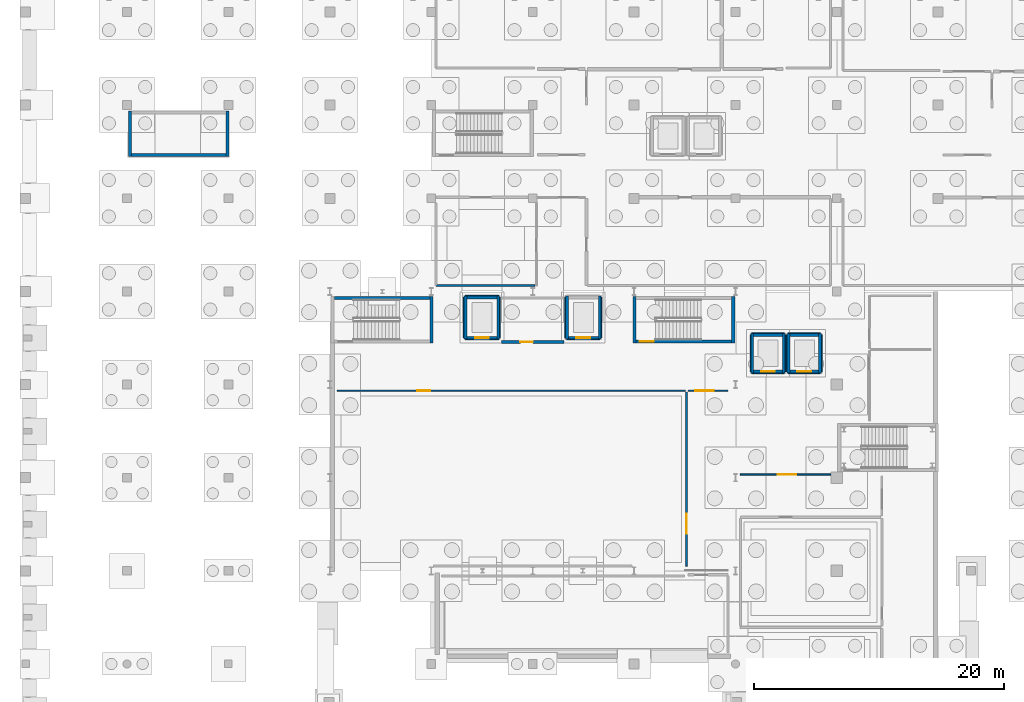
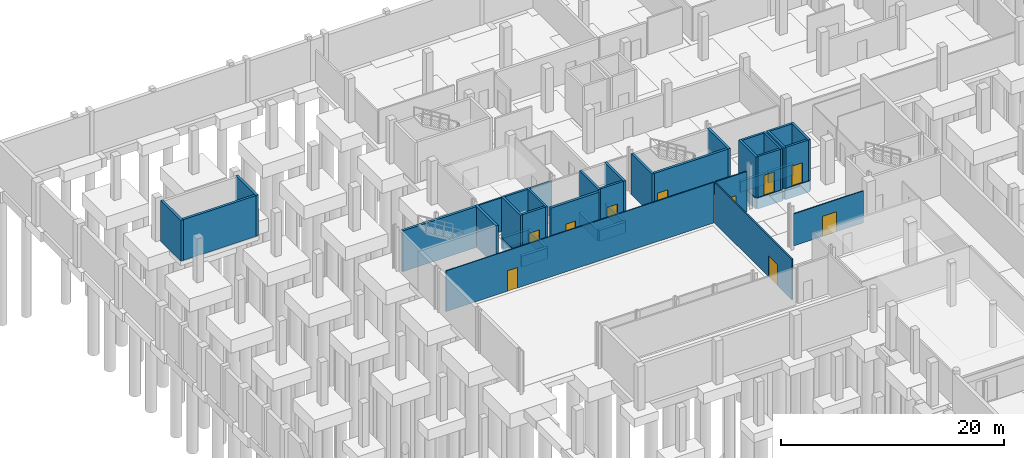
# One storey, part 27 of 37: 44 walls, 10 doors, 10 openings.
"""IFC4 building model written with IfcOpenShell, lengths in metres."""

from ifc_helpers import new_model, si_unit, direction, frame, frame_2d, origin, place, context, subcontext, project, spatial, rectangle, extrude, material, layer, layer_set, type_object, element, fill, save


model = new_model("IFC4")

# Units and contexts
model_context = context("Model", 3, precision=1e-05, world=origin(), true_north=direction((0.0, 1.0)))
body_context = subcontext(model_context, "Body", "Model", "MODEL_VIEW")
ifc_project = project(units=[si_unit("LENGTHUNIT", "METRE"), si_unit("AREAUNIT", "SQUARE_METRE"), si_unit("VOLUMEUNIT", "CUBIC_METRE"), si_unit("PLANEANGLEUNIT", "RADIAN"), si_unit("MASSUNIT", "GRAM", prefix="KILO")], contexts=[model_context])

# Site, building, storey
site_placement = place(None, origin())
site = spatial("IfcSite", under=ifc_project, at=site_placement, CompositionType="ELEMENT")
building_placement = place(site_placement, origin())
building = spatial("IfcBuilding", under=site, at=building_placement, Name="Kaelora Sail Theatre", CompositionType="ELEMENT")
storey_placement = place(building_placement, frame((0.0, 0.0, -4.800048828125)))
storey = spatial("IfcBuildingStorey", under=building, at=storey_placement, Name="B1", CompositionType="ELEMENT", Elevation=-4.800048828125)

# Walls
ifc_material_1 = material(Name="Concrete C40/50", Category="concrete")
ifc_layer_1 = layer(ifc_material_1, 0.25)
ifc_layer_set_1 = layer_set([ifc_layer_1], Name="Concrete C40/50")
wall_type_1 = type_object("IfcWallType", Name="ARC-WL-CW-250", PredefinedType="SHEAR", material=ifc_layer_set_1)
wall_1_placement = place(storey_placement, frame((26.155029296875, 82.824951171875, 0.0), z_axis=(0.0, 0.0, 1.0), x_axis=(1.0, 0.0, 0.0)))
element("IfcWall", 1, at=wall_1_placement, inside=storey, type_object=wall_type_1, Name="Stair shaft ST-K1 wall B1-N", PredefinedType="SHEAR", context=body_context, shape_type="SweptSolid", body=[
    extrude(rectangle(XDim=7.639892578125, YDim=0.25, at=frame_2d((3.81982421875, 0.0))), origin(), (0.0, 0.0, 1.0), 4.47998046875),
])
wall_2_placement = place(storey_placement, frame((33.925048828125, 79.199951171875, 0.0), z_axis=(0.0, 0.0, 1.0), x_axis=(0.0, 1.0, 0.0)))
element("IfcWall", 2, at=wall_2_placement, inside=storey, type_object=wall_type_1, Name="Stair shaft ST-K1 wall B1-E", PredefinedType="SHEAR", context=body_context, shape_type="SweptSolid", body=[
    extrude(rectangle(XDim=3.75, YDim=0.25, at=frame_2d((1.875, 0.0))), origin(), (0.0, 0.0, 1.0), 4.47998046875),
])

# Wall, opening, door
wall_3_placement = place(storey_placement, frame((50.2548828125, 79.324951171875, 0.0), z_axis=(0.0, 0.0, 1.0), x_axis=(1.0, 0.0, 0.0)))
wall_3 = element("IfcWall", 3, at=wall_3_placement, inside=storey, type_object=wall_type_1, Name="Stair shaft ST-K5 wall B1-S", PredefinedType="SHEAR", context=body_context, shape_type="SweptSolid", body=[
    extrude(rectangle(XDim=7.64013671875, YDim=0.25, at=frame_2d((3.820068359375, 0.0))), origin(), (0.0, 0.0, 1.0), 4.47998046875),
])
opening_1_placement = place(wall_3_placement, frame((0.320068359375, 0.0, 0.0)))
opening_1 = element("IfcOpeningElement", 4, at=opening_1_placement, cuts=wall_3, Name="Opening FD-02", PredefinedType="OPENING", context=body_context, shape_type="SweptSolid", body=[
    extrude(rectangle(XDim=1.10009765625, YDim=2.199951171875, at=frame_2d((0.550048828125, 1.10009765625))), frame((0.0, 0.135, 0.0), z_axis=(0.0, -1.0, 0.0), x_axis=(1.0, 0.0, 0.0)), (0.0, 0.0, 1.0), 0.27),
])
ifc_material_2 = material(Name="Acoustic steel single stair/lobby fire door EI 90-C", Category="steel")
door_type_1 = type_object("IfcDoorType", Name="ARC-DR-FD-02", OperationType="NOTDEFINED", PredefinedType="DOOR", material=ifc_material_2)
door_1_placement = place(opening_1_placement, origin())
door_1 = element("IfcDoor", 5, at=door_1_placement, inside=storey, type_object=door_type_1, Name="Stair ST-K5 door (B1)", OperationType="SINGLE_SWING_RIGHT", OverallHeight=2.199951171875, OverallWidth=1.10009765625, PredefinedType="DOOR", context=body_context, shape_type="SweptSolid", body=[
    extrude(rectangle(XDim=1.10009765625, YDim=2.199951171875, at=frame_2d((0.550048828125, 1.10009765625))), frame((0.0, 0.02490234375, 0.0), z_axis=(0.0, -1.0, 0.0), x_axis=(1.0, 0.0, 0.0)), (0.0, 0.0, 1.0), 0.050048828125),
])
fill(opening_1, door_1)

# Walls
for number, where, z_axis, x_axis, name in (
    (6, (50.125, 79.199951171875, 0.0), (0.0, 0.0, 1.0), (0.0, 1.0, 0.0), "Stair shaft ST-K5 wall B1-W"),
    (7, (58.02490234375, 79.199951171875, 0.0), (0.0, 0.0, 1.0), (0.0, 1.0, 0.0), "Stair shaft ST-K5 wall B1-E"),
):
    element("IfcWall", number, at=place(storey_placement, frame(where, z_axis=z_axis, x_axis=x_axis)), inside=storey, type_object=wall_type_1, Name=name, PredefinedType="SHEAR", context=body_context, shape_type="SweptSolid", body=[
        extrude(rectangle(XDim=3.75, YDim=0.25, at=frame_2d((1.875, 0.0))), origin(), (0.0, 0.0, 1.0), 4.47998046875),
    ])
wall_4_placement = place(storey_placement, frame((9.955078125, 94.22509765625, 0.0), z_axis=(0.0, 0.0, 1.0), x_axis=(1.0, 0.0, 0.0)))
element("IfcWall", 8, at=wall_4_placement, inside=storey, type_object=wall_type_1, Name="Stair shaft ST-W1 wall B1-S", PredefinedType="SHEAR", context=body_context, shape_type="SweptSolid", body=[
    extrude(rectangle(XDim=7.5400390625, YDim=0.25, at=frame_2d((3.77001953125, 0.0))), origin(), (0.0, 0.0, 1.0), 4.47998046875),
])
for number, where, z_axis, x_axis, name in (
    (9, (9.824951171875, 94.10009765625, 0.0), (0.0, 0.0, 1.0), (0.0, 1.0, 0.0), "Stair shaft ST-W1 wall B1-W"),
    (10, (17.625, 94.10009765625, 0.0), (0.0, 0.0, 1.0), (0.0, 1.0, 0.0), "Stair shaft ST-W1 wall B1-E"),
):
    element("IfcWall", number, at=place(storey_placement, frame(where, z_axis=z_axis, x_axis=x_axis)), inside=storey, type_object=wall_type_1, Name=name, PredefinedType="SHEAR", context=body_context, shape_type="SweptSolid", body=[
        extrude(rectangle(XDim=3.64990234375, YDim=0.25, at=frame_2d((1.824951171875, 0.0))), origin(), (0.0, 0.0, 1.0), 4.47998046875),
    ])

# Wall, opening, door
ifc_material_3 = material(Name="Sanitary moisture-resistant partition 100 mm", Category="gypsum")
ifc_layer_2 = layer(ifc_material_3, 0.10009765625)
ifc_layer_set_2 = layer_set([ifc_layer_2], Name="Sanitary moisture-resistant partition 100 mm")
wall_type_2 = type_object("IfcWallType", Name="ARC-WL-PT-100", PredefinedType="PARTITIONING", material=ifc_layer_set_2)
wall_5_placement = place(storey_placement, frame((26.39990234375, 75.39990234375, 0.0), z_axis=(0.0, 0.0, 1.0), x_axis=(1.0, 0.0, 0.0)))
wall_5 = element("IfcWall", 11, at=wall_5_placement, inside=storey, type_object=wall_type_2, Name="Interior acoustic partition B1-TRAP/B1-COR-FLY", PredefinedType="PARTITIONING", context=body_context, shape_type="SweptSolid", body=[
    extrude(rectangle(XDim=27.800048828125, YDim=0.10009765625, at=frame_2d((13.89990234375, 0.0))), origin(), (0.0, 0.0, 1.0), 4.4599609375),
])
opening_2_placement = place(wall_5_placement, frame((6.3779296875, 0.0, 0.0)))
opening_2 = element("IfcOpeningElement", 12, at=opening_2_placement, cuts=wall_5, Name="Opening ID-06", PredefinedType="OPENING", context=body_context, shape_type="SweptSolid", body=[
    extrude(rectangle(XDim=1.050048828125, YDim=2.25, at=frame_2d((0.52490234375, 1.125))), frame((0.0, 0.060049, 0.0), z_axis=(0.0, -1.0, 0.0), x_axis=(1.0, 0.0, 0.0)), (0.0, 0.0, 1.0), 0.120098),
])
ifc_material_4 = material(Name="Soloist dressing acoustic timber door", Category="wood")
door_type_2 = type_object("IfcDoorType", Name="ARC-DR-ID-06", OperationType="NOTDEFINED", PredefinedType="DOOR", material=ifc_material_4)
door_2_placement = place(opening_2_placement, origin())
door_2 = element("IfcDoor", 13, at=door_2_placement, inside=storey, type_object=door_type_2, Name="Interior door B1-TRAP to B1-COR-FLY", OperationType="SINGLE_SWING_LEFT", OverallHeight=2.25, OverallWidth=1.050048828125, PredefinedType="DOOR", context=body_context, shape_type="SweptSolid", body=[
    extrude(rectangle(XDim=1.050048828125, YDim=2.25, at=frame_2d((0.52490234375, 1.125))), frame((0.0, 0.02490234375, 0.0), z_axis=(0.0, -1.0, 0.0), x_axis=(1.0, 0.0, 0.0)), (0.0, 0.0, 1.0), 0.050048828125),
])
fill(opening_2, door_2)

ifc_material_5 = material(Name="Office acoustic stud partition 110 mm", Category="gypsum")
ifc_layer_3 = layer(ifc_material_5, 0.110107421875)
ifc_layer_set_3 = layer_set([ifc_layer_3], Name="Office acoustic stud partition 110 mm")
wall_type_3 = type_object("IfcWallType", Name="ARC-WL-PT-110", PredefinedType="PARTITIONING", material=ifc_layer_set_3)
wall_6_placement = place(storey_placement, frame((58.60009765625, 68.699951171875, 0.0), z_axis=(0.0, 0.0, 1.0), x_axis=(1.0, 0.0, 0.0)))
wall_6 = element("IfcWall", 14, at=wall_6_placement, inside=storey, type_object=wall_type_3, Name="Interior acoustic partition B1-COR-SOUTH/B1-COR-LINK", PredefinedType="PARTITIONING", context=body_context, shape_type="SweptSolid", body=[
    extrude(rectangle(XDim=7.244873046875, YDim=0.110107421875, at=frame_2d((3.62255859375, 0.0))), origin(), (0.0, 0.0, 1.0), 3.511962890625),
])
opening_3_placement = place(wall_6_placement, frame((2.971923828125, 0.0, 0.0)))
opening_3 = element("IfcOpeningElement", 15, at=opening_3_placement, cuts=wall_6, Name="Opening FD-01", PredefinedType="OPENING", context=body_context, shape_type="SweptSolid", body=[
    extrude(rectangle(XDim=1.5, YDim=2.199951171875, at=frame_2d((0.75, 1.10009765625))), frame((0.0, 0.065176, 0.0), z_axis=(0.0, -1.0, 0.0), x_axis=(1.0, 0.0, 0.0)), (0.0, 0.0, 1.0), 0.130107),
])
ifc_material_6 = material(Name="Acoustic steel double fire door EI 90-C", Category="steel")
door_type_3 = type_object("IfcDoorType", Name="ARC-DR-FD-01", OperationType="NOTDEFINED", PredefinedType="DOOR", material=ifc_material_6)
door_3_placement = place(opening_3_placement, origin())
door_3 = element("IfcDoor", 16, at=door_3_placement, inside=storey, type_object=door_type_3, Name="Interior door B1-COR-SOUTH to B1-COR-LINK", OperationType="DOUBLE_DOOR_SINGLE_SWING", OverallHeight=2.199951171875, OverallWidth=1.5, PredefinedType="DOOR", context=body_context, shape_type="SweptSolid", body=[
    extrude(rectangle(XDim=1.5, YDim=2.199951171875, at=frame_2d((0.75, 1.10009765625))), frame((0.0, 0.02490234375, 0.0), z_axis=(0.0, -1.0, 0.0), x_axis=(1.0, 0.0, 0.0)), (0.0, 0.0, 1.0), 0.050048828125),
])
fill(opening_3, door_3)

ifc_material_7 = material(Name="Dressing room acoustic partition 130 mm", Category="gypsum")
ifc_layer_4 = layer(ifc_material_7, 0.1298828125)
ifc_layer_set_4 = layer_set([ifc_layer_4], Name="Dressing room acoustic partition 130 mm")
wall_type_4 = type_object("IfcWallType", Name="ARC-WL-PT-130", PredefinedType="PARTITIONING", material=ifc_layer_set_4)
wall_7_placement = place(storey_placement, frame((54.39990234375, 75.39990234375, 0.0), z_axis=(0.0, 0.0, 1.0), x_axis=(1.0, 0.0, 0.0)))
wall_7 = element("IfcWall", 17, at=wall_7_placement, inside=storey, type_object=wall_type_4, Name="Interior acoustic partition B1-COR-OPIT/B1-COR-FLY", PredefinedType="PARTITIONING", context=body_context, shape_type="SweptSolid", body=[
    extrude(rectangle(XDim=3.2001953125, YDim=0.1298828125, at=frame_2d((1.60009765625, 0.0))), origin(), (0.0, 0.0, 1.0), 4.4599609375),
])
opening_4_placement = place(wall_7_placement, frame((0.580078125, 0.0, 0.0)))
opening_4 = element("IfcOpeningElement", 18, at=opening_4_placement, cuts=wall_7, Name="Opening FD-01", PredefinedType="OPENING", context=body_context, shape_type="SweptSolid", body=[
    extrude(rectangle(XDim=1.5, YDim=2.199951171875, at=frame_2d((0.75, 1.10009765625))), frame((0.0, 0.074941, 0.0), z_axis=(0.0, -1.0, 0.0), x_axis=(1.0, 0.0, 0.0)), (0.0, 0.0, 1.0), 0.149883),
])
door_4_placement = place(opening_4_placement, origin())
door_4 = element("IfcDoor", 19, at=door_4_placement, inside=storey, type_object=door_type_3, Name="Interior door B1-COR-OPIT to B1-COR-FLY", OperationType="DOUBLE_DOOR_SINGLE_SWING", OverallHeight=2.199951171875, OverallWidth=1.5, PredefinedType="DOOR", context=body_context, shape_type="SweptSolid", body=[
    extrude(rectangle(XDim=1.5, YDim=2.199951171875, at=frame_2d((0.75, 1.10009765625))), frame((0.0, 0.02490234375, 0.0), z_axis=(0.0, -1.0, 0.0), x_axis=(1.0, 0.0, 0.0)), (0.0, 0.0, 1.0), 0.050048828125),
])
fill(opening_4, door_4)

ifc_material_8 = material(Name="Fire-rated stud partition 140 mm", Category="gypsum")
ifc_layer_5 = layer(ifc_material_8, 0.139892578125)
ifc_layer_set_5 = layer_set([ifc_layer_5], Name="Fire-rated stud partition 140 mm")
wall_type_5 = type_object("IfcWallType", Name="ARC-WL-PT-140", PredefinedType="PARTITIONING", material=ifc_layer_set_5)
wall_8_placement = place(storey_placement, frame((54.300048828125, 61.39990234375, 0.0), z_axis=(0.0, 0.0, 1.0), x_axis=(0.0, 1.0, 0.0)))
wall_8 = element("IfcWall", 20, at=wall_8_placement, inside=storey, type_object=wall_type_5, Name="Interior acoustic partition B1-COR-OPIT/B1-TRAP", PredefinedType="PARTITIONING", context=body_context, shape_type="SweptSolid", body=[
    extrude(rectangle(XDim=13.900146484375, YDim=0.139892578125, at=frame_2d((6.9501953125, 0.0))), origin(), (0.0, 0.0, 1.0), 4.4599609375),
])
opening_5_placement = place(wall_8_placement, frame((2.569091796875, 0.0, 0.0)))
opening_5 = element("IfcOpeningElement", 21, at=opening_5_placement, cuts=wall_8, Name="Opening ID-04", PredefinedType="OPENING", context=body_context, shape_type="SweptSolid", body=[
    extrude(rectangle(XDim=1.60009765625, YDim=2.300048828125, at=frame_2d((0.800048828125, 1.14990234375))), frame((0.0, 0.079824, 0.0), z_axis=(0.0, -1.0, 0.0), x_axis=(1.0, 0.0, 0.0)), (0.0, 0.0, 1.0), 0.159893),
])
ifc_material_9 = material(Name="Rehearsal hall acoustic timber double door", Category="wood")
door_type_4 = type_object("IfcDoorType", Name="ARC-DR-ID-04", OperationType="NOTDEFINED", PredefinedType="DOOR", material=ifc_material_9)
door_5_placement = place(opening_5_placement, origin())
door_5 = element("IfcDoor", 22, at=door_5_placement, inside=storey, type_object=door_type_4, Name="Interior door B1-COR-OPIT to B1-TRAP", OperationType="DOUBLE_DOOR_SINGLE_SWING", OverallHeight=2.300048828125, OverallWidth=1.60009765625, PredefinedType="DOOR", context=body_context, shape_type="SweptSolid", body=[
    extrude(rectangle(XDim=1.60009765625, YDim=2.300048828125, at=frame_2d((0.800048828125, 1.14990234375))), frame((0.0, 0.02490234375, 0.0), z_axis=(0.0, -1.0, 0.0), x_axis=(1.0, 0.0, 0.0)), (0.0, 0.0, 1.0), 0.050048828125),
])
fill(opening_5, door_5)

# Wall
ifc_material_10 = material(Name="Acoustic metal-stud plasterboard 160 mm", Category="gypsum")
ifc_layer_6 = layer(ifc_material_10, 0.159912109375)
ifc_layer_set_6 = layer_set([ifc_layer_6], Name="Acoustic metal-stud plasterboard 160 mm")
wall_type_6 = type_object("IfcWallType", Name="ARC-WL-PT-160", PredefinedType="PARTITIONING", material=ifc_layer_set_6)
wall_9_placement = place(storey_placement, frame((34.300048828125, 83.800048828125, 0.0), z_axis=(0.0, 0.0, 1.0), x_axis=(1.0, 0.0, 0.0)))
element("IfcWall", 23, at=wall_9_placement, inside=storey, type_object=wall_type_6, Name="Room enclosure wall B1-SEC-S1", PredefinedType="PARTITIONING", context=body_context, shape_type="SweptSolid", body=[
    extrude(rectangle(XDim=7.89990234375, YDim=0.159912109375, at=frame_2d((3.949951171875, 0.0))), origin(), (0.0, 0.0, 1.0), 3.712158203125),
])

# Wall, opening, door
ifc_material_11 = material(Name="Concrete C45/55", Category="concrete")
ifc_layer_7 = layer(ifc_material_11, 0.27001953125)
ifc_layer_set_7 = layer_set([ifc_layer_7], Name="Concrete C45/55")
wall_type_7 = type_object("IfcWallType", Name="ARC-WL-PW-270", PredefinedType="SOLIDWALL", material=ifc_layer_set_7)
wall_10_placement = place(storey_placement, frame((39.5, 79.300048828125, 0.0), z_axis=(0.0, 0.0, 1.0), x_axis=(1.0, 0.0, 0.0)))
wall_10 = element("IfcWall", 24, at=wall_10_placement, inside=storey, type_object=wall_type_7, Name="Interior acoustic partition B1-COR-FLY/B1-DIMM", PredefinedType="SOLIDWALL", context=body_context, shape_type="SweptSolid", body=[
    extrude(rectangle(XDim=5.0, YDim=0.27001953125, at=frame_2d((2.5, 0.0))), origin(), (0.0, 0.0, 1.0), 4.4599609375),
])
opening_6_placement = place(wall_10_placement, frame((1.527099609375, 0.0, 0.0)))
opening_6 = element("IfcOpeningElement", 25, at=opening_6_placement, cuts=wall_10, Name="Opening FD-04", PredefinedType="OPENING", context=body_context, shape_type="SweptSolid", body=[
    extrude(rectangle(XDim=1.0, YDim=2.14990234375, at=frame_2d((0.5, 1.074951171875))), frame((0.0, 0.14501, 0.0), z_axis=(0.0, -1.0, 0.0), x_axis=(1.0, 0.0, 0.0)), (0.0, 0.0, 1.0), 0.29002),
])
ifc_material_12 = material(Name="Fire-rated riser and plant steel door FD60S", Category="steel")
door_type_5 = type_object("IfcDoorType", Name="ARC-DR-FD-04", OperationType="NOTDEFINED", PredefinedType="DOOR", material=ifc_material_12)
door_6_placement = place(opening_6_placement, origin())
door_6 = element("IfcDoor", 26, at=door_6_placement, inside=storey, type_object=door_type_5, Name="Interior door B1-COR-FLY to B1-DIMM", OperationType="SINGLE_SWING_RIGHT", OverallHeight=2.14990234375, OverallWidth=1.0, PredefinedType="DOOR", context=body_context, shape_type="SweptSolid", body=[
    extrude(rectangle(XDim=1.0, YDim=2.14990234375, at=frame_2d((0.5, 1.074951171875))), frame((0.0, 0.02490234375, 0.0), z_axis=(0.0, -1.0, 0.0), x_axis=(1.0, 0.0, 0.0)), (0.0, 0.0, 1.0), 0.050048828125),
])
fill(opening_6, door_6)

# Walls
ifc_material_13 = material(Name="Concrete C40/50", Category="concrete")
ifc_layer_8 = layer(ifc_material_13, 0.3798828125)
ifc_layer_set_8 = layer_set([ifc_layer_8], Name="Concrete C40/50")
wall_type_8 = type_object("IfcWallType", Name="ARC-WL-RW-380", PredefinedType="USERDEFINED", material=ifc_layer_set_8)
wall_11_placement = place(storey_placement, frame((36.60009765625, 79.60009765625, -1.199951171875), z_axis=(0.0, 0.0, 1.0), x_axis=(1.0, 0.0, 0.0)))
element("IfcWall", 27, at=wall_11_placement, inside=storey, type_object=wall_type_8, Name="Lift pit wall FFL-01-1", ObjectType="RETAINING WALL", PredefinedType="USERDEFINED", context=body_context, shape_type="SweptSolid", body=[
    extrude(rectangle(XDim=2.699951171875, YDim=0.300048828125, at=frame_2d((1.35009765625, 0.0))), origin(), (0.0, 0.0, 1.0), 1.199951171875),
])
wall_12_placement = place(storey_placement, frame((39.300048828125, 79.60009765625, -1.199951171875), z_axis=(0.0, 0.0, 1.0), x_axis=(0.0, 1.0, 0.0)))
element("IfcWall", 28, at=wall_12_placement, inside=storey, type_object=wall_type_8, Name="Lift pit wall FFL-01-2", ObjectType="RETAINING WALL", PredefinedType="USERDEFINED", context=body_context, shape_type="SweptSolid", body=[
    extrude(rectangle(XDim=3.2998046875, YDim=0.300048828125, at=frame_2d((1.64990234375, 0.0))), origin(), (0.0, 0.0, 1.0), 1.199951171875),
])
wall_13_placement = place(storey_placement, frame((39.300048828125, 82.89990234375, -1.199951171875), z_axis=(0.0, 0.0, 1.0), x_axis=(-1.0, 0.0, 0.0)))
element("IfcWall", 29, at=wall_13_placement, inside=storey, type_object=wall_type_8, Name="Lift pit wall FFL-01-3", ObjectType="RETAINING WALL", PredefinedType="USERDEFINED", context=body_context, shape_type="SweptSolid", body=[
    extrude(rectangle(XDim=2.699951171875, YDim=0.300048828125, at=frame_2d((1.35009765625, 0.0))), origin(), (0.0, 0.0, 1.0), 1.199951171875),
])
wall_14_placement = place(storey_placement, frame((36.60009765625, 82.89990234375, -1.199951171875), z_axis=(0.0, 0.0, 1.0), x_axis=(0.0, -1.0, 0.0)))
element("IfcWall", 30, at=wall_14_placement, inside=storey, type_object=wall_type_8, Name="Lift pit wall FFL-01-4", ObjectType="RETAINING WALL", PredefinedType="USERDEFINED", context=body_context, shape_type="SweptSolid", body=[
    extrude(rectangle(XDim=3.2998046875, YDim=0.300048828125, at=frame_2d((1.64990234375, 0.0))), origin(), (0.0, 0.0, 1.0), 1.199951171875),
])
wall_15_placement = place(storey_placement, frame((44.699951171875, 79.60009765625, -1.199951171875), z_axis=(0.0, 0.0, 1.0), x_axis=(1.0, 0.0, 0.0)))
element("IfcWall", 31, at=wall_15_placement, inside=storey, type_object=wall_type_8, Name="Lift pit wall FFL-02-1", ObjectType="RETAINING WALL", PredefinedType="USERDEFINED", context=body_context, shape_type="SweptSolid", body=[
    extrude(rectangle(XDim=2.699951171875, YDim=0.300048828125, at=frame_2d((1.35009765625, 0.0))), origin(), (0.0, 0.0, 1.0), 1.199951171875),
])
for number, where, z_axis, x_axis, name in (
    (32, (47.39990234375, 79.60009765625, -1.199951171875), (0.0, 0.0, 1.0), (0.0, 1.0, 0.0), "Lift pit wall FFL-02-2"),
    (33, (44.699951171875, 82.89990234375, -1.199951171875), (0.0, 0.0, 1.0), (0.0, -1.0, 0.0), "Lift pit wall FFL-02-4"),
):
    element("IfcWall", number, at=place(storey_placement, frame(where, z_axis=z_axis, x_axis=x_axis)), inside=storey, type_object=wall_type_8, Name=name, ObjectType="RETAINING WALL", PredefinedType="USERDEFINED", context=body_context, shape_type="SweptSolid", body=[
        extrude(rectangle(XDim=3.2998046875, YDim=0.300048828125, at=frame_2d((1.64990234375, 0.0))), origin(), (0.0, 0.0, 1.0), 1.199951171875),
    ])
wall_16_placement = place(storey_placement, frame((59.5, 76.89990234375, -1.199951171875), z_axis=(0.0, 0.0, 1.0), x_axis=(1.0, 0.0, 0.0)))
element("IfcWall", 34, at=wall_16_placement, inside=storey, type_object=wall_type_8, Name="Lift pit wall PL-01-1", ObjectType="RETAINING WALL", PredefinedType="USERDEFINED", context=body_context, shape_type="SweptSolid", body=[
    extrude(rectangle(XDim=2.60009765625, YDim=0.300048828125, at=frame_2d((1.300048828125, 0.0))), origin(), (0.0, 0.0, 1.0), 1.199951171875),
])
wall_17_placement = place(storey_placement, frame((62.10009765625, 76.89990234375, -1.199951171875), z_axis=(0.0, 0.0, 1.0), x_axis=(0.0, 1.0, 0.0)))
element("IfcWall", 35, at=wall_17_placement, inside=storey, type_object=wall_type_8, Name="Lift pit wall PL-01-2", ObjectType="RETAINING WALL", PredefinedType="USERDEFINED", context=body_context, shape_type="SweptSolid", body=[
    extrude(rectangle(XDim=3.0, YDim=0.300048828125, at=frame_2d((1.5, 0.0))), origin(), (0.0, 0.0, 1.0), 1.199951171875),
])
wall_18_placement = place(storey_placement, frame((62.10009765625, 79.89990234375, -1.199951171875), z_axis=(0.0, 0.0, 1.0), x_axis=(-1.0, 0.0, 0.0)))
element("IfcWall", 36, at=wall_18_placement, inside=storey, type_object=wall_type_8, Name="Lift pit wall PL-01-3", ObjectType="RETAINING WALL", PredefinedType="USERDEFINED", context=body_context, shape_type="SweptSolid", body=[
    extrude(rectangle(XDim=2.60009765625, YDim=0.300048828125, at=frame_2d((1.300048828125, 0.0))), origin(), (0.0, 0.0, 1.0), 1.199951171875),
])
wall_19_placement = place(storey_placement, frame((59.5, 79.89990234375, -1.199951171875), z_axis=(0.0, 0.0, 1.0), x_axis=(0.0, -1.0, 0.0)))
element("IfcWall", 37, at=wall_19_placement, inside=storey, type_object=wall_type_8, Name="Lift pit wall PL-01-4", ObjectType="RETAINING WALL", PredefinedType="USERDEFINED", context=body_context, shape_type="SweptSolid", body=[
    extrude(rectangle(XDim=3.0, YDim=0.300048828125, at=frame_2d((1.5, 0.0))), origin(), (0.0, 0.0, 1.0), 1.199951171875),
])
wall_20_placement = place(storey_placement, frame((62.39990234375, 76.89990234375, -1.199951171875), z_axis=(0.0, 0.0, 1.0), x_axis=(1.0, 0.0, 0.0)))
element("IfcWall", 38, at=wall_20_placement, inside=storey, type_object=wall_type_8, Name="Lift pit wall PL-02-1", ObjectType="RETAINING WALL", PredefinedType="USERDEFINED", context=body_context, shape_type="SweptSolid", body=[
    extrude(rectangle(XDim=2.60009765625, YDim=0.300048828125, at=frame_2d((1.300048828125, 0.0))), origin(), (0.0, 0.0, 1.0), 1.199951171875),
])
wall_21_placement = place(storey_placement, frame((65.0, 76.89990234375, -1.199951171875), z_axis=(0.0, 0.0, 1.0), x_axis=(0.0, 1.0, 0.0)))
element("IfcWall", 39, at=wall_21_placement, inside=storey, type_object=wall_type_8, Name="Lift pit wall PL-02-2", ObjectType="RETAINING WALL", PredefinedType="USERDEFINED", context=body_context, shape_type="SweptSolid", body=[
    extrude(rectangle(XDim=3.0, YDim=0.300048828125, at=frame_2d((1.5, 0.0))), origin(), (0.0, 0.0, 1.0), 1.199951171875),
])
wall_22_placement = place(storey_placement, frame((65.0, 79.89990234375, -1.199951171875), z_axis=(0.0, 0.0, 1.0), x_axis=(-1.0, 0.0, 0.0)))
element("IfcWall", 40, at=wall_22_placement, inside=storey, type_object=wall_type_8, Name="Lift pit wall PL-02-3", ObjectType="RETAINING WALL", PredefinedType="USERDEFINED", context=body_context, shape_type="SweptSolid", body=[
    extrude(rectangle(XDim=2.60009765625, YDim=0.300048828125, at=frame_2d((1.300048828125, 0.0))), origin(), (0.0, 0.0, 1.0), 1.199951171875),
])
wall_23_placement = place(storey_placement, frame((62.39990234375, 79.89990234375, -1.199951171875), z_axis=(0.0, 0.0, 1.0), x_axis=(0.0, -1.0, 0.0)))
element("IfcWall", 41, at=wall_23_placement, inside=storey, type_object=wall_type_8, Name="Lift pit wall PL-02-4", ObjectType="RETAINING WALL", PredefinedType="USERDEFINED", context=body_context, shape_type="SweptSolid", body=[
    extrude(rectangle(XDim=3.0, YDim=0.300048828125, at=frame_2d((1.5, 0.0))), origin(), (0.0, 0.0, 1.0), 1.199951171875),
])

# Wall, opening, door
ifc_material_14 = material(Name="Concrete C40/50", Category="concrete")
ifc_layer_9 = layer(ifc_material_14, 0.219970703125)
ifc_layer_set_9 = layer_set([ifc_layer_9], Name="Concrete C40/50")
wall_type_9 = type_object("IfcWallType", Name="ARC-WL-SW-220", PredefinedType="SOLIDWALL", material=ifc_layer_set_9)
wall_24_placement = place(storey_placement, frame((36.75, 79.639892578125, 0.0), z_axis=(0.0, 0.0, 1.0), x_axis=(1.0, 0.0, 0.0)))
wall_24 = element("IfcWall", 42, at=wall_24_placement, inside=storey, type_object=wall_type_9, Name="Lift FFL-01 shaft wall B1-S", PredefinedType="SOLIDWALL", context=body_context, shape_type="SweptSolid", body=[
    extrude(rectangle(XDim=2.39990234375, YDim=0.219970703125, at=frame_2d((1.199951171875, 0.0))), origin(), (0.0, 0.0, 1.0), 4.47998046875),
])
opening_7_placement = place(wall_24_placement, frame((0.64990234375, 0.0, 0.0)))
opening_7 = element("IfcOpeningElement", 43, at=opening_7_placement, cuts=wall_24, Name="Opening LD-FFL", PredefinedType="OPENING", context=body_context, shape_type="SweptSolid", body=[
    extrude(rectangle(XDim=1.10009765625, YDim=2.199951171875, at=frame_2d((0.550048828125, 1.10009765625))), frame((0.0, 0.119863, 0.0), z_axis=(0.0, -1.0, 0.0), x_axis=(1.0, 0.0, 0.0)), (0.0, 0.0, 1.0), 0.239971),
])
ifc_material_15 = material(Name="Stainless steel firefighting lift landing door EI 120", Category="steel")
door_type_6 = type_object("IfcDoorType", Name="ARC-DR-LD-FFL", OperationType="NOTDEFINED", PredefinedType="DOOR", material=ifc_material_15)
door_7_placement = place(opening_7_placement, origin())
door_7 = element("IfcDoor", 44, at=door_7_placement, inside=storey, type_object=door_type_6, Name="Lift FFL-01 sliding landing door (B1)", OperationType="SLIDING_TO_LEFT", OverallHeight=2.199951171875, OverallWidth=1.10009765625, PredefinedType="DOOR", context=body_context, shape_type="SweptSolid", body=[
    extrude(rectangle(XDim=1.10009765625, YDim=2.199951171875, at=frame_2d((0.550048828125, 1.10009765625))), frame((0.0, 0.02490234375, 0.0), z_axis=(0.0, -1.0, 0.0), x_axis=(1.0, 0.0, 0.0)), (0.0, 0.0, 1.0), 0.050048828125),
])
fill(opening_7, door_7)

# Walls
wall_25_placement = place(storey_placement, frame((36.75, 82.860107421875, 0.0), z_axis=(0.0, 0.0, 1.0), x_axis=(1.0, 0.0, 0.0)))
element("IfcWall", 45, at=wall_25_placement, inside=storey, type_object=wall_type_9, Name="Lift FFL-01 shaft wall B1-N", PredefinedType="SOLIDWALL", context=body_context, shape_type="SweptSolid", body=[
    extrude(rectangle(XDim=2.39990234375, YDim=0.219970703125, at=frame_2d((1.199951171875, 0.0))), origin(), (0.0, 0.0, 1.0), 4.47998046875),
])
for number, where, z_axis, x_axis, name in (
    (46, (36.639892578125, 79.530029296875, 0.0), (0.0, 0.0, 1.0), (0.0, 1.0, 0.0), "Lift FFL-01 shaft wall B1-W"),
    (47, (39.260009765625, 79.530029296875, 0.0), (0.0, 0.0, 1.0), (0.0, 1.0, 0.0), "Lift FFL-01 shaft wall B1-E"),
):
    element("IfcWall", number, at=place(storey_placement, frame(where, z_axis=z_axis, x_axis=x_axis)), inside=storey, type_object=wall_type_9, Name=name, PredefinedType="SOLIDWALL", context=body_context, shape_type="SweptSolid", body=[
        extrude(rectangle(XDim=3.43994140625, YDim=0.219970703125, at=frame_2d((1.719970703125, 0.0))), origin(), (0.0, 0.0, 1.0), 4.47998046875),
    ])

# Wall, opening, door
wall_26_placement = place(storey_placement, frame((44.85009765625, 79.639892578125, 0.0), z_axis=(0.0, 0.0, 1.0), x_axis=(1.0, 0.0, 0.0)))
wall_26 = element("IfcWall", 48, at=wall_26_placement, inside=storey, type_object=wall_type_9, Name="Lift FFL-02 shaft wall B1-S", PredefinedType="SOLIDWALL", context=body_context, shape_type="SweptSolid", body=[
    extrude(rectangle(XDim=2.39990234375, YDim=0.219970703125, at=frame_2d((1.199951171875, 0.0))), origin(), (0.0, 0.0, 1.0), 4.47998046875),
])
opening_8_placement = place(wall_26_placement, frame((0.64990234375, 0.0, 0.0)))
opening_8 = element("IfcOpeningElement", 49, at=opening_8_placement, cuts=wall_26, Name="Opening LD-FFL", PredefinedType="OPENING", context=body_context, shape_type="SweptSolid", body=[
    extrude(rectangle(XDim=1.10009765625, YDim=2.199951171875, at=frame_2d((0.550048828125, 1.10009765625))), frame((0.0, 0.119863, 0.0), z_axis=(0.0, -1.0, 0.0), x_axis=(1.0, 0.0, 0.0)), (0.0, 0.0, 1.0), 0.239971),
])
door_8_placement = place(opening_8_placement, origin())
door_8 = element("IfcDoor", 50, at=door_8_placement, inside=storey, type_object=door_type_6, Name="Lift FFL-02 sliding landing door (B1)", OperationType="SLIDING_TO_LEFT", OverallHeight=2.199951171875, OverallWidth=1.10009765625, PredefinedType="DOOR", context=body_context, shape_type="SweptSolid", body=[
    extrude(rectangle(XDim=1.10009765625, YDim=2.199951171875, at=frame_2d((0.550048828125, 1.10009765625))), frame((0.0, 0.02490234375, 0.0), z_axis=(0.0, -1.0, 0.0), x_axis=(1.0, 0.0, 0.0)), (0.0, 0.0, 1.0), 0.050048828125),
])
fill(opening_8, door_8)

# Walls
for number, where, z_axis, x_axis, name in (
    (51, (44.739990234375, 79.530029296875, 0.0), (0.0, 0.0, 1.0), (0.0, 1.0, 0.0), "Lift FFL-02 shaft wall B1-W"),
    (52, (47.360107421875, 79.530029296875, 0.0), (0.0, 0.0, 1.0), (0.0, 1.0, 0.0), "Lift FFL-02 shaft wall B1-E"),
):
    element("IfcWall", number, at=place(storey_placement, frame(where, z_axis=z_axis, x_axis=x_axis)), inside=storey, type_object=wall_type_9, Name=name, PredefinedType="SOLIDWALL", context=body_context, shape_type="SweptSolid", body=[
        extrude(rectangle(XDim=3.43994140625, YDim=0.219970703125, at=frame_2d((1.719970703125, 0.0))), origin(), (0.0, 0.0, 1.0), 4.47998046875),
    ])

# Wall, opening, door
wall_27_placement = place(storey_placement, frame((59.64990234375, 76.93994140625, 0.0), z_axis=(0.0, 0.0, 1.0), x_axis=(1.0, 0.0, 0.0)))
wall_27 = element("IfcWall", 53, at=wall_27_placement, inside=storey, type_object=wall_type_9, Name="Lift PL-01 shaft wall B1-S", PredefinedType="SOLIDWALL", context=body_context, shape_type="SweptSolid", body=[
    extrude(rectangle(XDim=2.300048828125, YDim=0.219970703125, at=frame_2d((1.14990234375, 0.0))), origin(), (0.0, 0.0, 1.0), 4.47998046875),
])
opening_9_placement = place(wall_27_placement, frame((0.60009765625, 0.0, 0.0)))
opening_9 = element("IfcOpeningElement", 54, at=opening_9_placement, cuts=wall_27, Name="Opening LD-PAX", PredefinedType="OPENING", context=body_context, shape_type="SweptSolid", body=[
    extrude(rectangle(XDim=1.10009765625, YDim=2.199951171875, at=frame_2d((0.550048828125, 1.10009765625))), frame((0.0, 0.119863, 0.0), z_axis=(0.0, -1.0, 0.0), x_axis=(1.0, 0.0, 0.0)), (0.0, 0.0, 1.0), 0.239971),
])
ifc_material_16 = material(Name="Brushed bronze passenger lift landing door EI 90", Category="steel")
door_type_7 = type_object("IfcDoorType", Name="ARC-DR-LD-PAX", OperationType="NOTDEFINED", PredefinedType="DOOR", material=ifc_material_16)
door_9_placement = place(opening_9_placement, origin())
door_9 = element("IfcDoor", 55, at=door_9_placement, inside=storey, type_object=door_type_7, Name="Lift PL-01 sliding landing door (B1)", OperationType="SLIDING_TO_LEFT", OverallHeight=2.199951171875, OverallWidth=1.10009765625, PredefinedType="DOOR", context=body_context, shape_type="SweptSolid", body=[
    extrude(rectangle(XDim=1.10009765625, YDim=2.199951171875, at=frame_2d((0.550048828125, 1.10009765625))), frame((0.0, 0.02490234375, 0.0), z_axis=(0.0, -1.0, 0.0), x_axis=(1.0, 0.0, 0.0)), (0.0, 0.0, 1.0), 0.050048828125),
])
fill(opening_9, door_9)

# Walls
wall_28_placement = place(storey_placement, frame((59.64990234375, 79.860107421875, 0.0), z_axis=(0.0, 0.0, 1.0), x_axis=(1.0, 0.0, 0.0)))
element("IfcWall", 56, at=wall_28_placement, inside=storey, type_object=wall_type_9, Name="Lift PL-01 shaft wall B1-N", PredefinedType="SOLIDWALL", context=body_context, shape_type="SweptSolid", body=[
    extrude(rectangle(XDim=2.300048828125, YDim=0.219970703125, at=frame_2d((1.14990234375, 0.0))), origin(), (0.0, 0.0, 1.0), 4.47998046875),
])
for number, where, z_axis, x_axis, name in (
    (57, (59.5400390625, 76.830078125, 0.0), (0.0, 0.0, 1.0), (0.0, 1.0, 0.0), "Lift PL-01 shaft wall B1-W"),
    (58, (62.06005859375, 76.830078125, 0.0), (0.0, 0.0, 1.0), (0.0, 1.0, 0.0), "Lift PL-01 shaft wall B1-E"),
):
    element("IfcWall", number, at=place(storey_placement, frame(where, z_axis=z_axis, x_axis=x_axis)), inside=storey, type_object=wall_type_9, Name=name, PredefinedType="SOLIDWALL", context=body_context, shape_type="SweptSolid", body=[
        extrude(rectangle(XDim=3.139892578125, YDim=0.219970703125, at=frame_2d((1.56982421875, 0.0))), origin(), (0.0, 0.0, 1.0), 4.47998046875),
    ])

# Wall, opening, door
wall_29_placement = place(storey_placement, frame((62.550048828125, 76.93994140625, 0.0), z_axis=(0.0, 0.0, 1.0), x_axis=(1.0, 0.0, 0.0)))
wall_29 = element("IfcWall", 59, at=wall_29_placement, inside=storey, type_object=wall_type_9, Name="Lift PL-02 shaft wall B1-S", PredefinedType="SOLIDWALL", context=body_context, shape_type="SweptSolid", body=[
    extrude(rectangle(XDim=2.300048828125, YDim=0.219970703125, at=frame_2d((1.14990234375, 0.0))), origin(), (0.0, 0.0, 1.0), 4.47998046875),
])
opening_10_placement = place(wall_29_placement, frame((0.60009765625, 0.0, 0.0)))
opening_10 = element("IfcOpeningElement", 60, at=opening_10_placement, cuts=wall_29, Name="Opening LD-PAX", PredefinedType="OPENING", context=body_context, shape_type="SweptSolid", body=[
    extrude(rectangle(XDim=1.10009765625, YDim=2.199951171875, at=frame_2d((0.550048828125, 1.10009765625))), frame((0.0, 0.119863, 0.0), z_axis=(0.0, -1.0, 0.0), x_axis=(1.0, 0.0, 0.0)), (0.0, 0.0, 1.0), 0.239971),
])
door_10_placement = place(opening_10_placement, origin())
door_10 = element("IfcDoor", 61, at=door_10_placement, inside=storey, type_object=door_type_7, Name="Lift PL-02 sliding landing door (B1)", OperationType="SLIDING_TO_LEFT", OverallHeight=2.199951171875, OverallWidth=1.10009765625, PredefinedType="DOOR", context=body_context, shape_type="SweptSolid", body=[
    extrude(rectangle(XDim=1.10009765625, YDim=2.199951171875, at=frame_2d((0.550048828125, 1.10009765625))), frame((0.0, 0.02490234375, 0.0), z_axis=(0.0, -1.0, 0.0), x_axis=(1.0, 0.0, 0.0)), (0.0, 0.0, 1.0), 0.050048828125),
])
fill(opening_10, door_10)

# Walls
wall_30_placement = place(storey_placement, frame((62.550048828125, 79.860107421875, 0.0), z_axis=(0.0, 0.0, 1.0), x_axis=(1.0, 0.0, 0.0)))
element("IfcWall", 62, at=wall_30_placement, inside=storey, type_object=wall_type_9, Name="Lift PL-02 shaft wall B1-N", PredefinedType="SOLIDWALL", context=body_context, shape_type="SweptSolid", body=[
    extrude(rectangle(XDim=2.300048828125, YDim=0.219970703125, at=frame_2d((1.14990234375, 0.0))), origin(), (0.0, 0.0, 1.0), 4.47998046875),
])
for number, where, z_axis, x_axis, name in (
    (63, (62.43994140625, 76.830078125, 0.0), (0.0, 0.0, 1.0), (0.0, 1.0, 0.0), "Lift PL-02 shaft wall B1-W"),
    (64, (64.9599609375, 76.830078125, 0.0), (0.0, 0.0, 1.0), (0.0, 1.0, 0.0), "Lift PL-02 shaft wall B1-E"),
):
    element("IfcWall", number, at=place(storey_placement, frame(where, z_axis=z_axis, x_axis=x_axis)), inside=storey, type_object=wall_type_9, Name=name, PredefinedType="SOLIDWALL", context=body_context, shape_type="SweptSolid", body=[
        extrude(rectangle(XDim=3.139892578125, YDim=0.219970703125, at=frame_2d((1.56982421875, 0.0))), origin(), (0.0, 0.0, 1.0), 4.47998046875),
    ])

save(model, "model.ifc")
